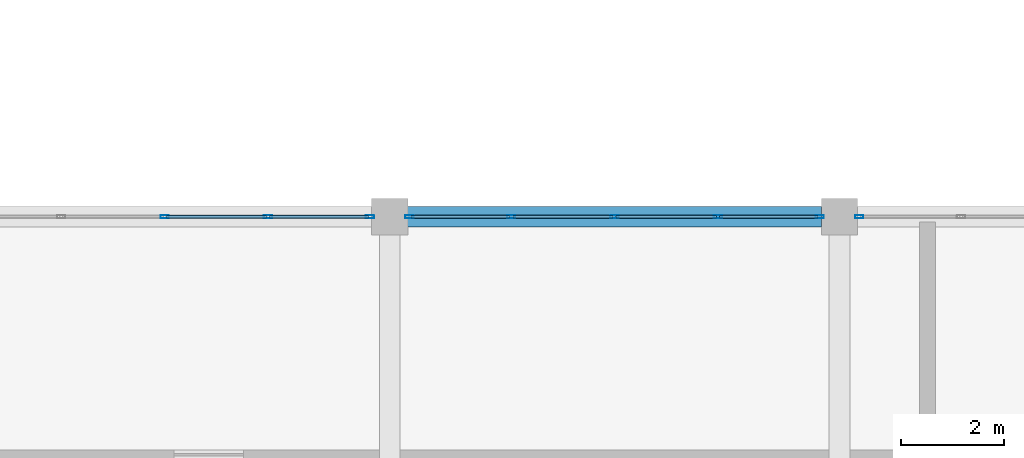
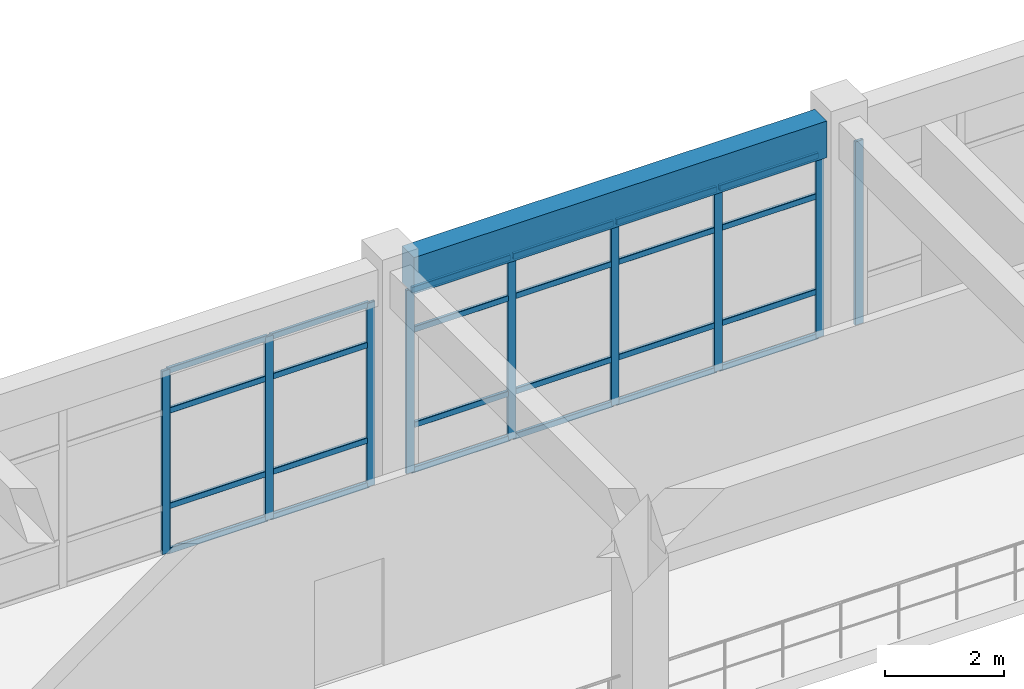
# One storey, part 32 of 64: 33 members, 1 beam, 3 elements without a shape of their own.
"""IFC4 building model written with IfcOpenShell, lengths in metres."""

from ifc_helpers import new_model, si_unit, derived_unit, direction, frame, origin, origin_2d, place, context, subcontext, project, spatial, rectangle, hollow_rectangle, extrude, material, layer, layer_set, material_profile, profile_set, type_object, element, aggregate, save


model = new_model("IFC4")

# Units and contexts
model_context = context("Model", 3, precision=1e-05, world=origin(), true_north=direction((0.0, 1.0)))
body_context = subcontext(model_context, "Body", "Model", "MODEL_VIEW")
ifc_project = project(units=[si_unit("LENGTHUNIT", "METRE"), si_unit("AREAUNIT", "SQUARE_METRE"), si_unit("VOLUMEUNIT", "CUBIC_METRE"), si_unit("PLANEANGLEUNIT", "RADIAN"), si_unit("MASSUNIT", "GRAM", prefix="KILO"), derived_unit("THERMALTRANSMITTANCEUNIT", [(si_unit("MASSUNIT", "GRAM", prefix="KILO"), 1), (si_unit("TIMEUNIT", "SECOND"), -3), (si_unit("THERMODYNAMICTEMPERATUREUNIT", "KELVIN"), -1)])], contexts=[model_context])

# Site, building, storey
site_placement = place(None, origin())
site = spatial("IfcSite", under=ifc_project, at=site_placement, CompositionType="ELEMENT")
building_placement = place(site_placement, origin())
building = spatial("IfcBuilding", under=site, at=building_placement, Name="Qinzheling Arcade Emporium", CompositionType="ELEMENT")
storey_placement = place(building_placement, frame((0.0, 0.0, 31.5)))
storey = spatial("IfcBuildingStorey", under=building, at=storey_placement, Name="L07", CompositionType="ELEMENT", Elevation=31.5)

# Curtain wall, members
ifc_material_1 = material(Name="Anodised aluminium and solar-control double glazing", Category="aluminium")
ifc_layer = layer(ifc_material_1, 0.159912109375, Name="Anodised aluminium and solar-control double glazing", Category="aluminium")
ifc_layer_set = layer_set([ifc_layer], Name="Anodised aluminium and solar-control double glazing")
curtain_wall_type = type_object("IfcCurtainWallType", Name="Atrium Clerestory Curtain Wall", PredefinedType="NOTDEFINED", material=ifc_layer_set)
curtain_wall_1_placement = place(storey_placement, origin())
curtain_wall_1 = element("IfcCurtainWall", 1, at=curtain_wall_1_placement, inside=storey, type_object=curtain_wall_type, Name="Curtain Wall CW-L07-419", PredefinedType="NOTDEFINED")
ifc_material_2 = material(Name="Anodised aluminium 6063-T6", Category="aluminium")
ifc_material_profile_1 = material_profile(ifc_material_2, hollow_rectangle(XDim=0.06005859375, YDim=0.159912109375, WallThickness=0.00390625, InnerFilletRadius=0.00390625, OuterFilletRadius=0.008056640625, at=origin_2d()), Name="RHS 160x60x4", Category="aluminium")
ifc_profile_set_1 = profile_set([ifc_material_profile_1], Name="Anodised aluminium 6063-T6")
member_type_1 = type_object("IfcMemberType", Name="Curtain Wall Mullion RHS160x60", PredefinedType="MULLION", material=ifc_profile_set_1)
member_1_placement = place(storey_placement, frame((65.25, 73.800048828125, 0.0), z_axis=(0.0, 0.0, 1.0), x_axis=(0.0, 1.0, 0.0)))
member_1 = element("IfcMember", 2, at=member_1_placement, type_object=member_type_1, Name="CW03 mullion 3", PredefinedType="MULLION", context=body_context, shape_type="SweptSolid", body=[
    extrude(hollow_rectangle(XDim=0.06005859375, YDim=0.159912109375, WallThickness=0.00390625, InnerFilletRadius=0.00390625, OuterFilletRadius=0.008056640625, at=origin_2d()), origin(), (0.0, 0.0, 1.0), 3.7548828125),
])
member_2_placement = place(storey_placement, frame((67.2490234375, 73.800048828125, 0.0), z_axis=(0.0, 0.0, 1.0), x_axis=(0.0, 1.0, 0.0)))
member_2 = element("IfcMember", 3, at=member_2_placement, type_object=member_type_1, Name="CW03 mullion 4", PredefinedType="MULLION", context=body_context, shape_type="SweptSolid", body=[
    extrude(hollow_rectangle(XDim=0.06005859375, YDim=0.159912109375, WallThickness=0.00390625, InnerFilletRadius=0.00390625, OuterFilletRadius=0.008056640625, at=origin_2d()), origin(), (0.0, 0.0, 1.0), 3.7548828125),
])
member_3_placement = place(storey_placement, frame((69.218017578125, 73.800048828125, 0.0), z_axis=(0.0, 0.0, 1.0), x_axis=(0.0, 1.0, 0.0)))
member_3 = element("IfcMember", 4, at=member_3_placement, type_object=member_type_1, Name="CW03 mullion 5", PredefinedType="MULLION", context=body_context, shape_type="SweptSolid", body=[
    extrude(hollow_rectangle(XDim=0.06005859375, YDim=0.159912109375, WallThickness=0.00390625, InnerFilletRadius=0.00390625, OuterFilletRadius=0.008056640625, at=origin_2d()), origin(), (0.0, 0.0, 1.0), 3.7548828125),
])

curtain_wall_2_placement = place(storey_placement, origin())
curtain_wall_2 = element("IfcCurtainWall", 5, at=curtain_wall_2_placement, inside=storey, type_object=curtain_wall_type, Name="Curtain Wall CW-L07-420", PredefinedType="NOTDEFINED")
member_4_placement = place(storey_placement, frame((69.98193359375, 73.800048828125, 0.0), z_axis=(0.0, 0.0, 1.0), x_axis=(0.0, 1.0, 0.0)))
member_4 = element("IfcMember", 6, at=member_4_placement, type_object=member_type_1, Name="CW03 mullion 1", PredefinedType="MULLION", context=body_context, shape_type="SweptSolid", body=[
    extrude(hollow_rectangle(XDim=0.06005859375, YDim=0.159912109375, WallThickness=0.00390625, InnerFilletRadius=0.00390625, OuterFilletRadius=0.008056640625, at=origin_2d()), origin(), (0.0, 0.0, 1.0), 3.7548828125),
])
member_5_placement = place(storey_placement, frame((71.950927734375, 73.800048828125, 0.0), z_axis=(0.0, 0.0, 1.0), x_axis=(0.0, 1.0, 0.0)))
member_5 = element("IfcMember", 7, at=member_5_placement, type_object=member_type_1, Name="CW03 mullion 2", PredefinedType="MULLION", context=body_context, shape_type="SweptSolid", body=[
    extrude(hollow_rectangle(XDim=0.06005859375, YDim=0.159912109375, WallThickness=0.00390625, InnerFilletRadius=0.00390625, OuterFilletRadius=0.008056640625, at=origin_2d()), origin(), (0.0, 0.0, 1.0), 3.7548828125),
])
member_6_placement = place(storey_placement, frame((73.949951171875, 73.800048828125, 0.0), z_axis=(0.0, 0.0, 1.0), x_axis=(0.0, 1.0, 0.0)))
member_6 = element("IfcMember", 8, at=member_6_placement, type_object=member_type_1, Name="CW03 mullion 3", PredefinedType="MULLION", context=body_context, shape_type="SweptSolid", body=[
    extrude(hollow_rectangle(XDim=0.06005859375, YDim=0.159912109375, WallThickness=0.00390625, InnerFilletRadius=0.00390625, OuterFilletRadius=0.008056640625, at=origin_2d()), origin(), (0.0, 0.0, 1.0), 3.7548828125),
])
member_7_placement = place(storey_placement, frame((75.948974609375, 73.800048828125, 0.0), z_axis=(0.0, 0.0, 1.0), x_axis=(0.0, 1.0, 0.0)))
member_7 = element("IfcMember", 9, at=member_7_placement, type_object=member_type_1, Name="CW03 mullion 4", PredefinedType="MULLION", context=body_context, shape_type="SweptSolid", body=[
    extrude(hollow_rectangle(XDim=0.06005859375, YDim=0.159912109375, WallThickness=0.00390625, InnerFilletRadius=0.00390625, OuterFilletRadius=0.008056640625, at=origin_2d()), origin(), (0.0, 0.0, 1.0), 3.7548828125),
])
member_8_placement = place(storey_placement, frame((77.91796875, 73.800048828125, 0.0), z_axis=(0.0, 0.0, 1.0), x_axis=(0.0, 1.0, 0.0)))
member_8 = element("IfcMember", 10, at=member_8_placement, type_object=member_type_1, Name="CW03 mullion 5", PredefinedType="MULLION", context=body_context, shape_type="SweptSolid", body=[
    extrude(hollow_rectangle(XDim=0.06005859375, YDim=0.159912109375, WallThickness=0.00390625, InnerFilletRadius=0.00390625, OuterFilletRadius=0.008056640625, at=origin_2d()), origin(), (0.0, 0.0, 1.0), 3.7548828125),
])

# Curtain wall, member
curtain_wall_3_placement = place(storey_placement, origin())
curtain_wall_3 = element("IfcCurtainWall", 11, at=curtain_wall_3_placement, inside=storey, type_object=curtain_wall_type, Name="Curtain Wall CW-L07-421", PredefinedType="NOTDEFINED")
member_9_placement = place(storey_placement, frame((78.681884765625, 73.800048828125, 0.0), z_axis=(0.0, 0.0, 1.0), x_axis=(0.0, 1.0, 0.0)))
member_9 = element("IfcMember", 12, at=member_9_placement, type_object=member_type_1, Name="CW03 mullion 1", PredefinedType="MULLION", context=body_context, shape_type="SweptSolid", body=[
    extrude(hollow_rectangle(XDim=0.06005859375, YDim=0.159912109375, WallThickness=0.00390625, InnerFilletRadius=0.00390625, OuterFilletRadius=0.008056640625, at=origin_2d()), origin(), (0.0, 0.0, 1.0), 3.7548828125),
])
aggregate(curtain_wall_3, [member_9])

# Member
ifc_material_profile_2 = material_profile(ifc_material_2, hollow_rectangle(XDim=0.06005859375, YDim=0.1201171875, WallThickness=0.00390625, InnerFilletRadius=0.00390625, OuterFilletRadius=0.008056640625, at=origin_2d()), Name="RHS 120x60x4", Category="aluminium")
ifc_profile_set_2 = profile_set([ifc_material_profile_2], Name="Anodised aluminium 6063-T6")
member_type_2 = type_object("IfcMemberType", Name="Curtain Wall Transom RHS120x60", PredefinedType="USERDEFINED", material=ifc_profile_set_2)
member_10_placement = place(storey_placement, frame((65.280029296875, 73.800048828125, 0.030029296875), z_axis=(1.0, 0.0, 0.0), x_axis=(0.0, 1.0, 0.0)))
member_10 = element("IfcMember", 13, at=member_10_placement, type_object=member_type_2, Name="CW03 transom 3.1", ObjectType="TRANSOM", PredefinedType="USERDEFINED", context=body_context, shape_type="SweptSolid", body=[
    extrude(hollow_rectangle(XDim=0.06005859375, YDim=0.1201171875, WallThickness=0.00390625, InnerFilletRadius=0.00390625, OuterFilletRadius=0.008056640625, at=origin_2d()), origin(), (0.0, 0.0, 1.0), 1.93896484375),
])

member_11_placement = place(storey_placement, frame((65.280029296875, 73.800048828125, 0.949951171875), z_axis=(1.0, 0.0, 0.0), x_axis=(0.0, 1.0, 0.0)))
member_11 = element("IfcMember", 14, at=member_11_placement, type_object=member_type_2, Name="CW03 transom 3.2", ObjectType="TRANSOM", PredefinedType="USERDEFINED", context=body_context, shape_type="SweptSolid", body=[
    extrude(hollow_rectangle(XDim=0.06005859375, YDim=0.1201171875, WallThickness=0.00390625, InnerFilletRadius=0.00390625, OuterFilletRadius=0.008056640625, at=origin_2d()), origin(), (0.0, 0.0, 1.0), 1.93896484375),
])

member_12_placement = place(storey_placement, frame((65.280029296875, 73.800048828125, 2.905029296875), z_axis=(1.0, 0.0, 0.0), x_axis=(0.0, 1.0, 0.0)))
member_12 = element("IfcMember", 15, at=member_12_placement, type_object=member_type_2, Name="CW03 transom 3.3", ObjectType="TRANSOM", PredefinedType="USERDEFINED", context=body_context, shape_type="SweptSolid", body=[
    extrude(hollow_rectangle(XDim=0.06005859375, YDim=0.1201171875, WallThickness=0.00390625, InnerFilletRadius=0.00390625, OuterFilletRadius=0.008056640625, at=origin_2d()), origin(), (0.0, 0.0, 1.0), 1.93896484375),
])

member_13_placement = place(storey_placement, frame((65.280029296875, 73.800048828125, 3.72509765625), z_axis=(1.0, 0.0, 0.0), x_axis=(0.0, 1.0, 0.0)))
member_13 = element("IfcMember", 16, at=member_13_placement, type_object=member_type_2, Name="CW03 transom 3.4", ObjectType="TRANSOM", PredefinedType="USERDEFINED", context=body_context, shape_type="SweptSolid", body=[
    extrude(hollow_rectangle(XDim=0.06005859375, YDim=0.1201171875, WallThickness=0.00390625, InnerFilletRadius=0.00390625, OuterFilletRadius=0.008056640625, at=origin_2d()), origin(), (0.0, 0.0, 1.0), 1.93896484375),
])

member_14_placement = place(storey_placement, frame((67.279052734375, 73.800048828125, 0.030029296875), z_axis=(1.0, 0.0, 0.0), x_axis=(0.0, 1.0, 0.0)))
member_14 = element("IfcMember", 17, at=member_14_placement, type_object=member_type_2, Name="CW03 transom 4.1", ObjectType="TRANSOM", PredefinedType="USERDEFINED", context=body_context, shape_type="SweptSolid", body=[
    extrude(hollow_rectangle(XDim=0.06005859375, YDim=0.1201171875, WallThickness=0.00390625, InnerFilletRadius=0.00390625, OuterFilletRadius=0.008056640625, at=origin_2d()), origin(), (0.0, 0.0, 1.0), 1.908935546875),
])

member_15_placement = place(storey_placement, frame((67.279052734375, 73.800048828125, 0.949951171875), z_axis=(1.0, 0.0, 0.0), x_axis=(0.0, 1.0, 0.0)))
member_15 = element("IfcMember", 18, at=member_15_placement, type_object=member_type_2, Name="CW03 transom 4.2", ObjectType="TRANSOM", PredefinedType="USERDEFINED", context=body_context, shape_type="SweptSolid", body=[
    extrude(hollow_rectangle(XDim=0.06005859375, YDim=0.1201171875, WallThickness=0.00390625, InnerFilletRadius=0.00390625, OuterFilletRadius=0.008056640625, at=origin_2d()), origin(), (0.0, 0.0, 1.0), 1.908935546875),
])

member_16_placement = place(storey_placement, frame((67.279052734375, 73.800048828125, 2.905029296875), z_axis=(1.0, 0.0, 0.0), x_axis=(0.0, 1.0, 0.0)))
member_16 = element("IfcMember", 19, at=member_16_placement, type_object=member_type_2, Name="CW03 transom 4.3", ObjectType="TRANSOM", PredefinedType="USERDEFINED", context=body_context, shape_type="SweptSolid", body=[
    extrude(hollow_rectangle(XDim=0.06005859375, YDim=0.1201171875, WallThickness=0.00390625, InnerFilletRadius=0.00390625, OuterFilletRadius=0.008056640625, at=origin_2d()), origin(), (0.0, 0.0, 1.0), 1.908935546875),
])

member_17_placement = place(storey_placement, frame((67.279052734375, 73.800048828125, 3.72509765625), z_axis=(1.0, 0.0, 0.0), x_axis=(0.0, 1.0, 0.0)))
member_17 = element("IfcMember", 20, at=member_17_placement, type_object=member_type_2, Name="CW03 transom 4.4", ObjectType="TRANSOM", PredefinedType="USERDEFINED", context=body_context, shape_type="SweptSolid", body=[
    extrude(hollow_rectangle(XDim=0.06005859375, YDim=0.1201171875, WallThickness=0.00390625, InnerFilletRadius=0.00390625, OuterFilletRadius=0.008056640625, at=origin_2d()), origin(), (0.0, 0.0, 1.0), 1.908935546875),
])

aggregate(curtain_wall_1, [member_1, member_2, member_3, member_10, member_11, member_12, member_13, member_14, member_15, member_16, member_17])

member_18_placement = place(storey_placement, frame((70.011962890625, 73.800048828125, 0.030029296875), z_axis=(1.0, 0.0, 0.0), x_axis=(0.0, 1.0, 0.0)))
member_18 = element("IfcMember", 21, at=member_18_placement, type_object=member_type_2, Name="CW03 transom 1.1", ObjectType="TRANSOM", PredefinedType="USERDEFINED", context=body_context, shape_type="SweptSolid", body=[
    extrude(hollow_rectangle(XDim=0.06005859375, YDim=0.1201171875, WallThickness=0.00390625, InnerFilletRadius=0.00390625, OuterFilletRadius=0.008056640625, at=origin_2d()), origin(), (0.0, 0.0, 1.0), 1.908935546875),
])

member_19_placement = place(storey_placement, frame((70.011962890625, 73.800048828125, 0.949951171875), z_axis=(1.0, 0.0, 0.0), x_axis=(0.0, 1.0, 0.0)))
member_19 = element("IfcMember", 22, at=member_19_placement, type_object=member_type_2, Name="CW03 transom 1.2", ObjectType="TRANSOM", PredefinedType="USERDEFINED", context=body_context, shape_type="SweptSolid", body=[
    extrude(hollow_rectangle(XDim=0.06005859375, YDim=0.1201171875, WallThickness=0.00390625, InnerFilletRadius=0.00390625, OuterFilletRadius=0.008056640625, at=origin_2d()), origin(), (0.0, 0.0, 1.0), 1.908935546875),
])

member_20_placement = place(storey_placement, frame((70.011962890625, 73.800048828125, 2.905029296875), z_axis=(1.0, 0.0, 0.0), x_axis=(0.0, 1.0, 0.0)))
member_20 = element("IfcMember", 23, at=member_20_placement, type_object=member_type_2, Name="CW03 transom 1.3", ObjectType="TRANSOM", PredefinedType="USERDEFINED", context=body_context, shape_type="SweptSolid", body=[
    extrude(hollow_rectangle(XDim=0.06005859375, YDim=0.1201171875, WallThickness=0.00390625, InnerFilletRadius=0.00390625, OuterFilletRadius=0.008056640625, at=origin_2d()), origin(), (0.0, 0.0, 1.0), 1.908935546875),
])

member_21_placement = place(storey_placement, frame((70.011962890625, 73.800048828125, 3.72509765625), z_axis=(1.0, 0.0, 0.0), x_axis=(0.0, 1.0, 0.0)))
member_21 = element("IfcMember", 24, at=member_21_placement, type_object=member_type_2, Name="CW03 transom 1.4", ObjectType="TRANSOM", PredefinedType="USERDEFINED", context=body_context, shape_type="SweptSolid", body=[
    extrude(hollow_rectangle(XDim=0.06005859375, YDim=0.1201171875, WallThickness=0.00390625, InnerFilletRadius=0.00390625, OuterFilletRadius=0.008056640625, at=origin_2d()), origin(), (0.0, 0.0, 1.0), 1.908935546875),
])

member_22_placement = place(storey_placement, frame((71.98095703125, 73.800048828125, 0.030029296875), z_axis=(1.0, 0.0, 0.0), x_axis=(0.0, 1.0, 0.0)))
member_22 = element("IfcMember", 25, at=member_22_placement, type_object=member_type_2, Name="CW03 transom 2.1", ObjectType="TRANSOM", PredefinedType="USERDEFINED", context=body_context, shape_type="SweptSolid", body=[
    extrude(hollow_rectangle(XDim=0.06005859375, YDim=0.1201171875, WallThickness=0.00390625, InnerFilletRadius=0.00390625, OuterFilletRadius=0.008056640625, at=origin_2d()), origin(), (0.0, 0.0, 1.0), 1.93896484375),
])

member_23_placement = place(storey_placement, frame((71.98095703125, 73.800048828125, 0.949951171875), z_axis=(1.0, 0.0, 0.0), x_axis=(0.0, 1.0, 0.0)))
member_23 = element("IfcMember", 26, at=member_23_placement, type_object=member_type_2, Name="CW03 transom 2.2", ObjectType="TRANSOM", PredefinedType="USERDEFINED", context=body_context, shape_type="SweptSolid", body=[
    extrude(hollow_rectangle(XDim=0.06005859375, YDim=0.1201171875, WallThickness=0.00390625, InnerFilletRadius=0.00390625, OuterFilletRadius=0.008056640625, at=origin_2d()), origin(), (0.0, 0.0, 1.0), 1.93896484375),
])

member_24_placement = place(storey_placement, frame((71.98095703125, 73.800048828125, 2.905029296875), z_axis=(1.0, 0.0, 0.0), x_axis=(0.0, 1.0, 0.0)))
member_24 = element("IfcMember", 27, at=member_24_placement, type_object=member_type_2, Name="CW03 transom 2.3", ObjectType="TRANSOM", PredefinedType="USERDEFINED", context=body_context, shape_type="SweptSolid", body=[
    extrude(hollow_rectangle(XDim=0.06005859375, YDim=0.1201171875, WallThickness=0.00390625, InnerFilletRadius=0.00390625, OuterFilletRadius=0.008056640625, at=origin_2d()), origin(), (0.0, 0.0, 1.0), 1.93896484375),
])

member_25_placement = place(storey_placement, frame((71.98095703125, 73.800048828125, 3.72509765625), z_axis=(1.0, 0.0, 0.0), x_axis=(0.0, 1.0, 0.0)))
member_25 = element("IfcMember", 28, at=member_25_placement, type_object=member_type_2, Name="CW03 transom 2.4", ObjectType="TRANSOM", PredefinedType="USERDEFINED", context=body_context, shape_type="SweptSolid", body=[
    extrude(hollow_rectangle(XDim=0.06005859375, YDim=0.1201171875, WallThickness=0.00390625, InnerFilletRadius=0.00390625, OuterFilletRadius=0.008056640625, at=origin_2d()), origin(), (0.0, 0.0, 1.0), 1.93896484375),
])

member_26_placement = place(storey_placement, frame((73.97998046875, 73.800048828125, 0.030029296875), z_axis=(1.0, 0.0, 0.0), x_axis=(0.0, 1.0, 0.0)))
member_26 = element("IfcMember", 29, at=member_26_placement, type_object=member_type_2, Name="CW03 transom 3.1", ObjectType="TRANSOM", PredefinedType="USERDEFINED", context=body_context, shape_type="SweptSolid", body=[
    extrude(hollow_rectangle(XDim=0.06005859375, YDim=0.1201171875, WallThickness=0.00390625, InnerFilletRadius=0.00390625, OuterFilletRadius=0.008056640625, at=origin_2d()), origin(), (0.0, 0.0, 1.0), 1.93896484375),
])

member_27_placement = place(storey_placement, frame((73.97998046875, 73.800048828125, 0.949951171875), z_axis=(1.0, 0.0, 0.0), x_axis=(0.0, 1.0, 0.0)))
member_27 = element("IfcMember", 30, at=member_27_placement, type_object=member_type_2, Name="CW03 transom 3.2", ObjectType="TRANSOM", PredefinedType="USERDEFINED", context=body_context, shape_type="SweptSolid", body=[
    extrude(hollow_rectangle(XDim=0.06005859375, YDim=0.1201171875, WallThickness=0.00390625, InnerFilletRadius=0.00390625, OuterFilletRadius=0.008056640625, at=origin_2d()), origin(), (0.0, 0.0, 1.0), 1.93896484375),
])

member_28_placement = place(storey_placement, frame((73.97998046875, 73.800048828125, 2.905029296875), z_axis=(1.0, 0.0, 0.0), x_axis=(0.0, 1.0, 0.0)))
member_28 = element("IfcMember", 31, at=member_28_placement, type_object=member_type_2, Name="CW03 transom 3.3", ObjectType="TRANSOM", PredefinedType="USERDEFINED", context=body_context, shape_type="SweptSolid", body=[
    extrude(hollow_rectangle(XDim=0.06005859375, YDim=0.1201171875, WallThickness=0.00390625, InnerFilletRadius=0.00390625, OuterFilletRadius=0.008056640625, at=origin_2d()), origin(), (0.0, 0.0, 1.0), 1.93896484375),
])

member_29_placement = place(storey_placement, frame((73.97998046875, 73.800048828125, 3.72509765625), z_axis=(1.0, 0.0, 0.0), x_axis=(0.0, 1.0, 0.0)))
member_29 = element("IfcMember", 32, at=member_29_placement, type_object=member_type_2, Name="CW03 transom 3.4", ObjectType="TRANSOM", PredefinedType="USERDEFINED", context=body_context, shape_type="SweptSolid", body=[
    extrude(hollow_rectangle(XDim=0.06005859375, YDim=0.1201171875, WallThickness=0.00390625, InnerFilletRadius=0.00390625, OuterFilletRadius=0.008056640625, at=origin_2d()), origin(), (0.0, 0.0, 1.0), 1.93896484375),
])

member_30_placement = place(storey_placement, frame((75.97900390625, 73.800048828125, 0.030029296875), z_axis=(1.0, 0.0, 0.0), x_axis=(0.0, 1.0, 0.0)))
member_30 = element("IfcMember", 33, at=member_30_placement, type_object=member_type_2, Name="CW03 transom 4.1", ObjectType="TRANSOM", PredefinedType="USERDEFINED", context=body_context, shape_type="SweptSolid", body=[
    extrude(hollow_rectangle(XDim=0.06005859375, YDim=0.1201171875, WallThickness=0.00390625, InnerFilletRadius=0.00390625, OuterFilletRadius=0.008056640625, at=origin_2d()), origin(), (0.0, 0.0, 1.0), 1.908935546875),
])

member_31_placement = place(storey_placement, frame((75.97900390625, 73.800048828125, 0.949951171875), z_axis=(1.0, 0.0, 0.0), x_axis=(0.0, 1.0, 0.0)))
member_31 = element("IfcMember", 34, at=member_31_placement, type_object=member_type_2, Name="CW03 transom 4.2", ObjectType="TRANSOM", PredefinedType="USERDEFINED", context=body_context, shape_type="SweptSolid", body=[
    extrude(hollow_rectangle(XDim=0.06005859375, YDim=0.1201171875, WallThickness=0.00390625, InnerFilletRadius=0.00390625, OuterFilletRadius=0.008056640625, at=origin_2d()), origin(), (0.0, 0.0, 1.0), 1.908935546875),
])

member_32_placement = place(storey_placement, frame((75.97900390625, 73.800048828125, 2.905029296875), z_axis=(1.0, 0.0, 0.0), x_axis=(0.0, 1.0, 0.0)))
member_32 = element("IfcMember", 35, at=member_32_placement, type_object=member_type_2, Name="CW03 transom 4.3", ObjectType="TRANSOM", PredefinedType="USERDEFINED", context=body_context, shape_type="SweptSolid", body=[
    extrude(hollow_rectangle(XDim=0.06005859375, YDim=0.1201171875, WallThickness=0.00390625, InnerFilletRadius=0.00390625, OuterFilletRadius=0.008056640625, at=origin_2d()), origin(), (0.0, 0.0, 1.0), 1.908935546875),
])

member_33_placement = place(storey_placement, frame((75.97900390625, 73.800048828125, 3.72509765625), z_axis=(1.0, 0.0, 0.0), x_axis=(0.0, 1.0, 0.0)))
member_33 = element("IfcMember", 36, at=member_33_placement, type_object=member_type_2, Name="CW03 transom 4.4", ObjectType="TRANSOM", PredefinedType="USERDEFINED", context=body_context, shape_type="SweptSolid", body=[
    extrude(hollow_rectangle(XDim=0.06005859375, YDim=0.1201171875, WallThickness=0.00390625, InnerFilletRadius=0.00390625, OuterFilletRadius=0.008056640625, at=origin_2d()), origin(), (0.0, 0.0, 1.0), 1.908935546875),
])

aggregate(curtain_wall_2, [member_4, member_5, member_6, member_7, member_8, member_18, member_19, member_20, member_21, member_22, member_23, member_24, member_25, member_26, member_27, member_28, member_29, member_30, member_31, member_32, member_33])

# Beam
ifc_material_3 = material(Name="Concrete C40", Category="concrete")
ifc_material_profile_3 = material_profile(ifc_material_3, rectangle(XDim=0.39990234375, YDim=0.75, at=origin_2d()), Name="RC 400x750", Category="concrete")
ifc_profile_set_3 = profile_set([ifc_material_profile_3], Name="Concrete C40")
beam_type = type_object("IfcBeamType", Name="RC Interior Tie Beam 400x750 C40", PredefinedType="BEAM", material=ifc_profile_set_3)
beam_placement = place(storey_placement, frame((69.949951171875, 73.800048828125, 4.14501953125), z_axis=(1.0, 0.0, 0.0), x_axis=(0.0, 1.0, 0.0)))
element("IfcBeam", 37, at=beam_placement, inside=storey, type_object=beam_type, Name="Beam BM-L07-X-J-9", PredefinedType="BEAM", context=body_context, shape_type="SweptSolid", body=[
    extrude(rectangle(XDim=0.39990234375, YDim=0.75, at=origin_2d()), origin(), (0.0, 0.0, 1.0), 8.0),
])

save(model, "model.ifc")
